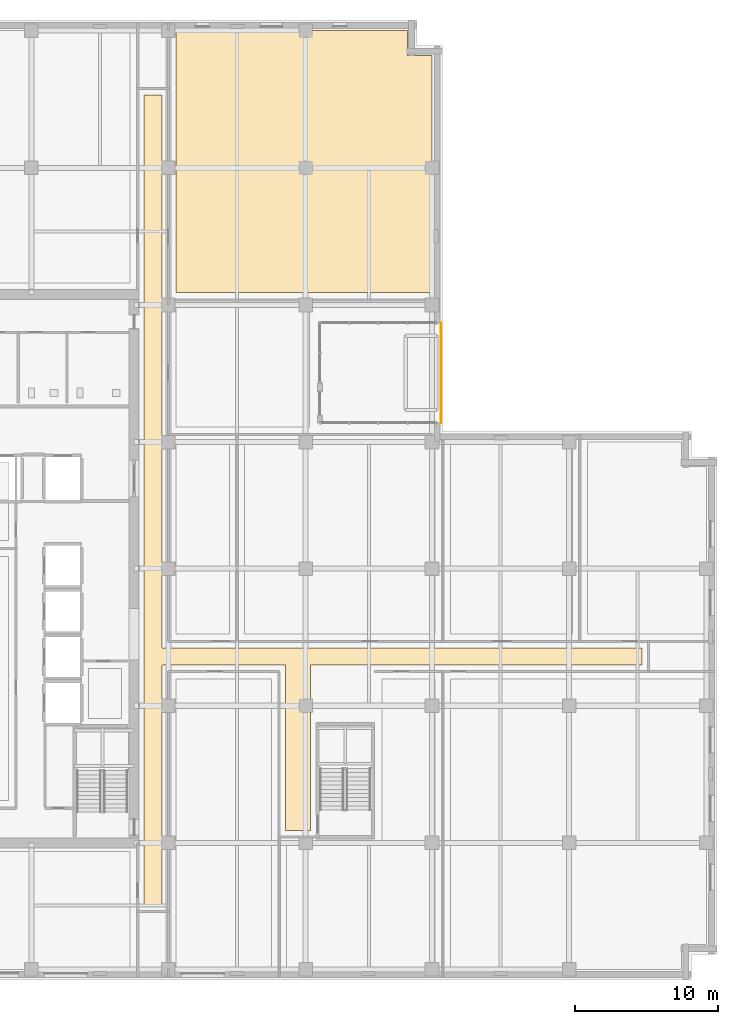
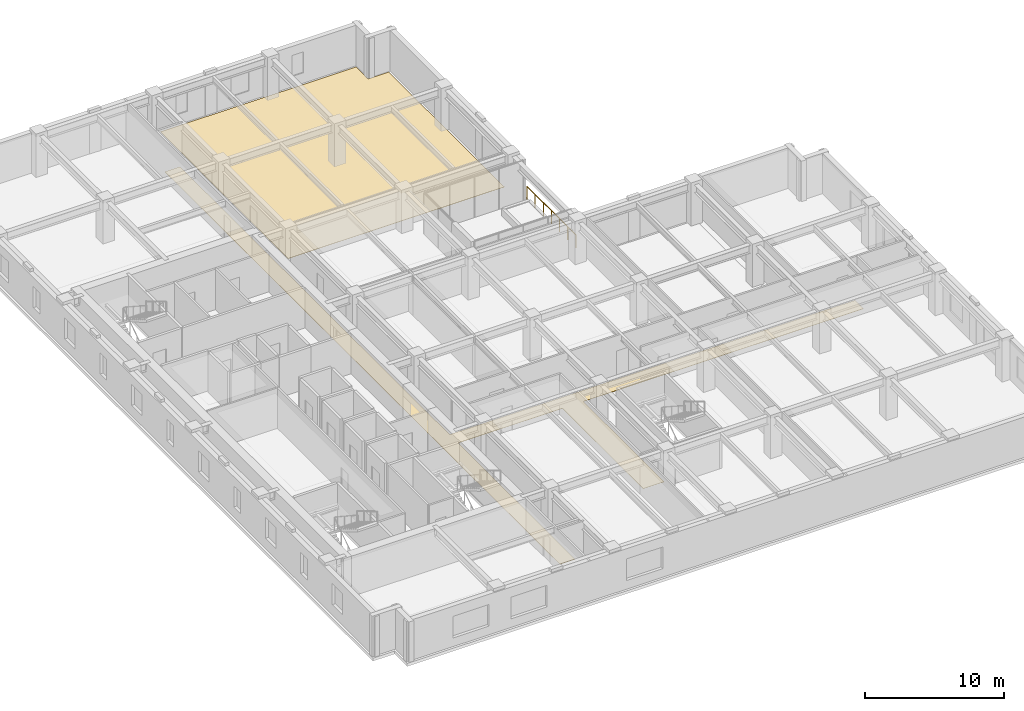
# One storey, part 15 of 16: 2 coverings, 1 railing.
"""IFC4 building model written with IfcOpenShell, lengths in metres."""

import ifcopenshell
import ifcopenshell.guid

model = None  # the IFC model being written
_history = None  # IfcOwnerHistory: only IFC2X3 demands one
_inside = {}  # id of a spatial element -> (the spatial element, [elements in it])
_under = {}  # id of a project, library or spatial element -> (it, [spatial elements below it])
_declared = {}  # id of a project -> (the project, [libraries it declares])
_typed = {}  # id of a type object -> (the type object, [elements of that type])
_made_of = {}  # id of a material, layer set ... -> (it, [elements and type objects made of it])


def new_model(schema):
    """Start an empty IFC model of exactly this schema.

    Asked for "IFC4X3", IfcOpenShell would pick the latest addendum, in which some entities
    have other attributes; the version numbers below select the first issue.
    IFC2X3 requires an IfcOwnerHistory on every rooted entity: one is made here for all.
    """
    global model, _history
    if schema == "IFC4X3":
        model = ifcopenshell.file(schema_version=(4, 3, 0, 0))
    else:
        model = ifcopenshell.file(schema=schema)
    _inside.clear()
    _under.clear()
    _declared.clear()
    _typed.clear()
    _made_of.clear()
    _history = None
    if model.schema == "IFC2X3":
        org = make("IfcOrganization", Name="unknown")
        user = make(
            "IfcPersonAndOrganization",
            ThePerson=make("IfcPerson", FamilyName="unknown"),
            TheOrganization=org,
        )
        app = make(
            "IfcApplication",
            ApplicationDeveloper=org,
            Version="unknown",
            ApplicationFullName="unknown",
            ApplicationIdentifier="unknown",
        )
        _history = make(
            "IfcOwnerHistory",
            OwningUser=user,
            OwningApplication=app,
            ChangeAction="ADDED",
            CreationDate=0,
        )
    return model


def make(cls, **values):
    """One entity of the class cls with the attributes given. An attribute that is None is left unset."""
    return model.create_entity(
        cls, **{name: value for name, value in values.items() if value is not None}
    )


def rooted(cls, **values):
    """An entity with a GlobalId (a new one), such as an element, a storey or a relation."""
    return make(cls, GlobalId=ifcopenshell.guid.new(), OwnerHistory=_history, **values)


def si_unit(unit_type, name, prefix=None):
    """IfcSIUnit, for example si_unit("LENGTHUNIT", "METRE", prefix="MILLI")."""
    return make("IfcSIUnit", UnitType=unit_type, Prefix=prefix, Name=name)


def assignment(units):
    """IfcUnitAssignment: the units of a project."""
    return None if units is None else make("IfcUnitAssignment", Units=units)


def point(xyz):
    """IfcCartesianPoint."""
    return None if xyz is None else make("IfcCartesianPoint", Coordinates=xyz)


def direction(xyz):
    """IfcDirection."""
    return None if xyz is None else make("IfcDirection", DirectionRatios=xyz)


def frame(location, z_axis=None, x_axis=None):
    """IfcAxis2Placement3D, a coordinate frame: its origin and axes. An axis left out is left unset."""
    return make(
        "IfcAxis2Placement3D",
        Location=point(location),
        Axis=direction(z_axis),
        RefDirection=direction(x_axis),
    )


def frame_2d(location, x_axis=None):
    """IfcAxis2Placement2D, a coordinate frame in the plane: its origin and x axis."""
    return make(
        "IfcAxis2Placement2D", Location=point(location), RefDirection=direction(x_axis)
    )


def origin():
    """The frame at (0, 0, 0) with its axes left unset."""
    return frame((0.0, 0.0, 0.0))


def origin_2d():
    """The frame at (0, 0) in the plane with its x axis left unset."""
    return frame_2d((0.0, 0.0))


def place(relative_to, where):
    """IfcLocalPlacement: puts the frame where relative to a parent placement (None: the world)."""
    return make(
        "IfcLocalPlacement", PlacementRelTo=relative_to, RelativePlacement=where
    )


def context(
    kind, dimensions, precision=None, world=None, true_north=None, identifier=None
):
    """IfcGeometricRepresentationContext, for example the 3D "Model" context."""
    return make(
        "IfcGeometricRepresentationContext",
        ContextIdentifier=identifier,
        ContextType=kind,
        CoordinateSpaceDimension=dimensions,
        Precision=precision,
        WorldCoordinateSystem=world,
        TrueNorth=true_north,
    )


def subcontext(parent, identifier, kind, view, scale=None):
    """IfcGeometricRepresentationSubContext, for example "Body" below "Model"."""
    return make(
        "IfcGeometricRepresentationSubContext",
        ContextIdentifier=identifier,
        ContextType=kind,
        ParentContext=parent,
        TargetScale=scale,
        TargetView=view,
    )


def project(units=None, contexts=None):
    """IfcProject with its units and contexts."""
    return rooted(
        "IfcProject",
        Name="project",
        RepresentationContexts=contexts,
        UnitsInContext=assignment(units),
    )


def spatial(cls, under=None, at=None, **own):
    """A site, building, storey or space (cls), placed at a placement, below another one or the project."""
    s = rooted(cls, ObjectPlacement=at, **own)
    if under is not None:
        _under.setdefault(under.id(), (under, []))[1].append(s)
    return s


def polyline(points):
    """IfcPolyline through the points."""
    return make("IfcPolyline", Points=[point(p) for p in points])


def profile(cls, at=None, kind="AREA", **sizes):
    """A parametric profile (cls). Its sizes go by their IFC names, for example OverallWidth=200.0."""
    return make(cls, ProfileType=kind, Position=at, **sizes)


def circle(**sizes):
    """IfcCircleProfileDef."""
    return profile("IfcCircleProfileDef", **sizes)


def outline(outer, holes=None, kind="AREA"):
    """IfcArbitraryClosedProfileDef: a profile drawn as a closed curve; with holes, ...WithVoids."""
    if holes is None:
        return make("IfcArbitraryClosedProfileDef", ProfileType=kind, OuterCurve=outer)
    return make(
        "IfcArbitraryProfileDefWithVoids",
        ProfileType=kind,
        OuterCurve=outer,
        InnerCurves=holes,
    )


def extrude(swept, where, along, depth):
    """IfcExtrudedAreaSolid: the profile swept, set in the frame where, extruded along a direction by depth."""
    return make(
        "IfcExtrudedAreaSolid",
        SweptArea=swept,
        Position=where,
        ExtrudedDirection=direction(along),
        Depth=depth,
    )


def shape(context_of_items, identifier, shape_type, items):
    """IfcShapeRepresentation: the items that make up one representation, for example the "Body"."""
    return make(
        "IfcShapeRepresentation",
        ContextOfItems=context_of_items,
        RepresentationIdentifier=identifier,
        RepresentationType=shape_type,
        Items=items,
    )


def material(Name=None, Category=None):
    """IfcMaterial."""
    return make("IfcMaterial", Name=Name, Category=Category)


def layer(
    of_material, thickness, ventilated=None, Name=None, Category=None, Priority=None
):
    """IfcMaterialLayer: one layer of a wall or slab, of a material (None: an air gap)."""
    return make(
        "IfcMaterialLayer",
        Material=of_material,
        LayerThickness=thickness,
        IsVentilated=ventilated,
        Name=Name,
        Category=Category,
        Priority=Priority,
    )


def layer_set(layers, Name=None):
    """IfcMaterialLayerSet."""
    return make("IfcMaterialLayerSet", MaterialLayers=layers, LayerSetName=Name)


def made_of(thing, what):
    """Note that an element or type object is made of a material, layer set ...; save() writes the relation."""
    if what is not None:
        _made_of.setdefault(what.id(), (what, []))[1].append(thing)
    return thing


def type_object(cls, material=None, **own):
    """A type object (cls), such as IfcWallType, which elements share."""
    return made_of(rooted(cls, **own), material)


def element(
    cls,
    number,
    at=None,
    inside=None,
    cuts=None,
    type_object=None,
    material=None,
    context=None,
    identifier="Body",
    shape_type=None,
    held_by="IfcProductDefinitionShape",
    body=None,
    shapes=None,
    **own,
):
    """One element of the class cls, such as IfcWall. Its Tag is "e" and its number.

    at: its placement. inside: the storey or other place that contains it. cuts: it is an
    opening in that element (IfcRelVoidsElement). A single representation is given by context,
    identifier, shape_type and body (its items); several are given by shapes. held_by: the class
    of the entity that holds the representations. save() writes the other relations.
    """
    e = rooted(cls, Tag="e%d" % number, ObjectPlacement=at, **own)
    if body is not None:
        shapes = [shape(context, identifier, shape_type, body)]
    if shapes is not None:
        e.Representation = make(held_by, Representations=shapes)
    if inside is not None:
        _inside.setdefault(inside.id(), (inside, []))[1].append(e)
    if cuts is not None:
        rooted(
            "IfcRelVoidsElement", RelatingBuildingElement=cuts, RelatedOpeningElement=e
        )
    if type_object is not None:
        _typed.setdefault(type_object.id(), (type_object, []))[1].append(e)
    return made_of(e, material)


def aggregate(whole, parts):
    """IfcRelAggregates: a whole, such as a stair, and the parts it consists of."""
    return rooted("IfcRelAggregates", RelatingObject=whole, RelatedObjects=parts)


def save(model, path):
    """Write the relations noted so far, then the file.

    IfcRelAggregates (storeys below a building ...), IfcRelContainedInSpatialStructure (elements
    in a storey), IfcRelDefinesByType, IfcRelAssociatesMaterial and IfcRelDeclares: one each for
    every whole, place, type object, material and project.
    """
    for whole, parts in _under.values():
        aggregate(whole, parts)
    for where, things in _inside.values():
        rooted(
            "IfcRelContainedInSpatialStructure",
            RelatedElements=things,
            RelatingStructure=where,
        )
    for kind, things in _typed.values():
        rooted("IfcRelDefinesByType", RelatedObjects=things, RelatingType=kind)
    for what, things in _made_of.values():
        rooted("IfcRelAssociatesMaterial", RelatedObjects=things, RelatingMaterial=what)
    for by, libraries in _declared.values():
        rooted("IfcRelDeclares", RelatingContext=by, RelatedDefinitions=libraries)
    model.write(path)


model = new_model("IFC4")

# Units and contexts
model_context = context("Model", 3, precision=1e-05, world=origin(), true_north=direction((0.0, 1.0)))
body_context = subcontext(model_context, "Body", "Model", "MODEL_VIEW")
ifc_project = project(units=[si_unit("LENGTHUNIT", "METRE"), si_unit("AREAUNIT", "SQUARE_METRE"), si_unit("VOLUMEUNIT", "CUBIC_METRE"), si_unit("PLANEANGLEUNIT", "RADIAN"), si_unit("MASSUNIT", "GRAM", prefix="KILO")], contexts=[model_context])

# Site, building, storey
site_placement = place(None, origin())
site = spatial("IfcSite", under=ifc_project, at=site_placement, CompositionType="ELEMENT")
building_placement = place(site_placement, origin())
building = spatial("IfcBuilding", under=site, at=building_placement, Name="Norrvale University Quadrangle", CompositionType="ELEMENT")
storey_placement = place(building_placement, frame((0.0, 0.0, 167.39990234375)))
storey = spatial("IfcBuildingStorey", under=building, at=storey_placement, Name="L42", CompositionType="ELEMENT", Elevation=167.39990234375)

# Coverings
ifc_material_1 = material(Name="Polished Terrazzo Flooring")
ifc_layer = layer(ifc_material_1, 0.02490234375, Name="Polished Terrazzo Flooring")
ifc_layer_set = layer_set([ifc_layer], Name="Polished Terrazzo Flooring")
covering_type = type_object("IfcCoveringType", Name="Covering Terrazzo Floor 30", PredefinedType="FLOORING", material=ifc_layer_set)
covering_1_placement = place(storey_placement, origin())
element("IfcCovering", 1, at=covering_1_placement, inside=storey, type_object=covering_type, Name="Terrazzo Flooring RM-L42-CORR1", PredefinedType="FLOORING", context=body_context, shape_type="SweptSolid", body=[
    extrude(outline(polyline([(17.5, 5.25), (17.5, 61.949951171875), (18.75, 61.949951171875), (18.75, 23.25), (52.35009765625, 23.25), (52.35009765625, 22.050048828125), (29.1298828125, 22.050048828125), (29.1298828125, 10.449951171875), (27.39990234375, 10.449951171875), (27.39990234375, 22.050048828125), (18.75, 22.050048828125), (18.75, 5.25), (17.5, 5.25)])), origin(), (0.0, 0.0, 1.0), 0.025146484375),
])
covering_2_placement = place(storey_placement, origin())
element("IfcCovering", 2, at=covering_2_placement, inside=storey, type_object=covering_type, Name="Terrazzo Flooring RM-L42-NE01", PredefinedType="FLOORING", context=body_context, shape_type="SweptSolid", body=[
    extrude(outline(polyline([(37.64990234375, 48.1298828125), (19.72998046875, 48.1298828125), (19.72998046875, 66.449951171875), (35.929931640625, 66.449951171875), (35.929931640625, 64.72998046875), (37.64990234375, 64.72998046875), (37.64990234375, 48.1298828125)])), origin(), (0.0, 0.0, 1.0), 0.025146484375),
])

# Railing
ifc_material_2 = material(Name="Stainless Steel 316L Balustrade", Category="steel")
railing_type = type_object("IfcRailingType", Name="Railing Terrace Guard 1150", PredefinedType="BALUSTRADE", material=ifc_material_2)
railing_placement = place(storey_placement, frame((38.300048828125, 39.0, 0.0)))
element("IfcRailing", 3, at=railing_placement, inside=storey, type_object=railing_type, Name="Sky Garden Facade Balustrade L42", PredefinedType="BALUSTRADE", context=body_context, shape_type="SweptSolid", body=[
    extrude(circle(Radius=0.02392578125, at=origin_2d()), frame((0.0, 0.0, 1.1259765625), z_axis=(0.0, 1.0, 0.0), x_axis=(-1.0, 0.0, 0.0)), (0.0, 0.0, 1.0), 7.0),
    extrude(circle(Radius=0.02099609375, at=origin_2d()), origin(), (0.0, 0.0, 1.0), 1.101806640625),
    extrude(circle(Radius=0.02099609375, at=origin_2d()), frame((0.0, 1.166748046875, 0.0)), (0.0, 0.0, 1.0), 1.101806640625),
    extrude(circle(Radius=0.02099609375, at=origin_2d()), frame((0.0, 2.333251953125, 0.0)), (0.0, 0.0, 1.0), 1.101806640625),
    extrude(circle(Radius=0.02099609375, at=origin_2d()), frame((0.0, 3.5, 0.0)), (0.0, 0.0, 1.0), 1.101806640625),
    extrude(circle(Radius=0.02099609375, at=origin_2d()), frame((0.0, 4.666748046875, 0.0)), (0.0, 0.0, 1.0), 1.101806640625),
    extrude(circle(Radius=0.02099609375, at=origin_2d()), frame((0.0, 5.833251953125, 0.0)), (0.0, 0.0, 1.0), 1.101806640625),
    extrude(circle(Radius=0.02099609375, at=origin_2d()), frame((0.0, 7.0, 0.0)), (0.0, 0.0, 1.0), 1.101806640625),
])

save(model, "model.ifc")
